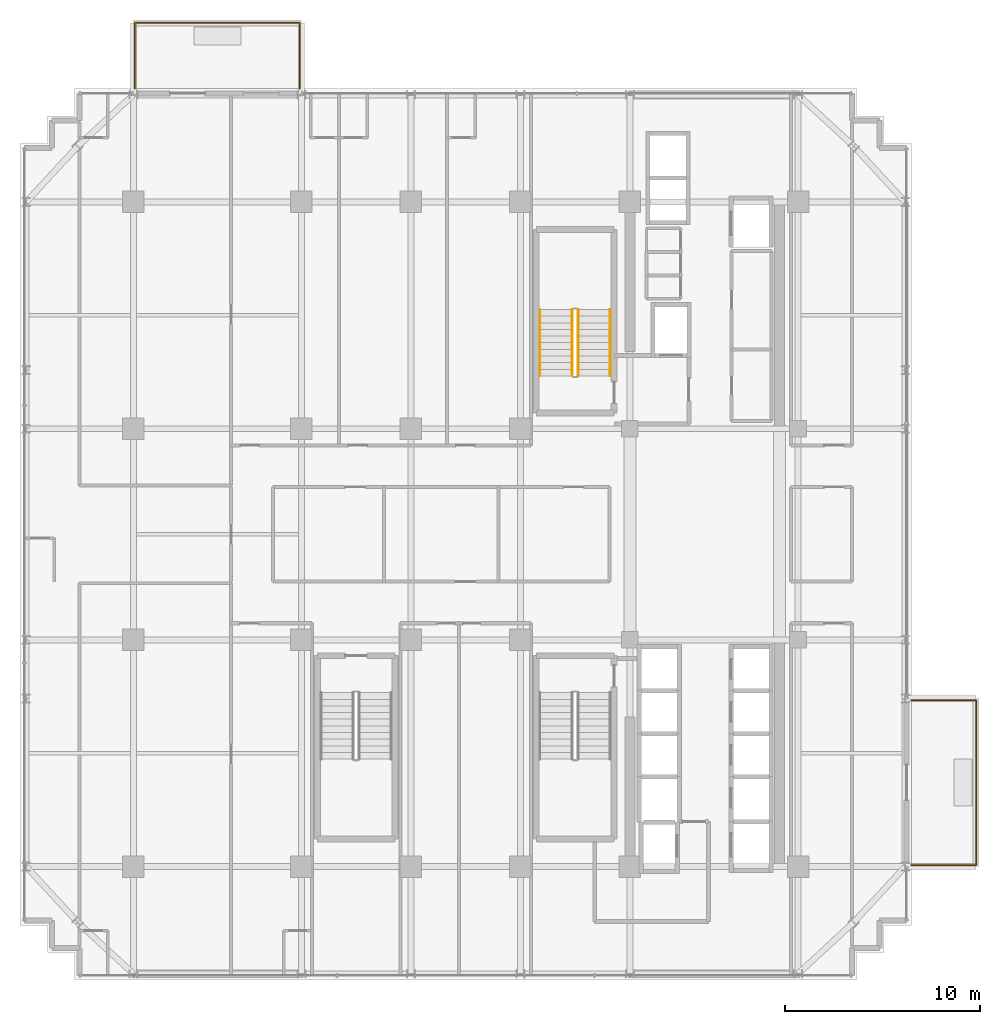
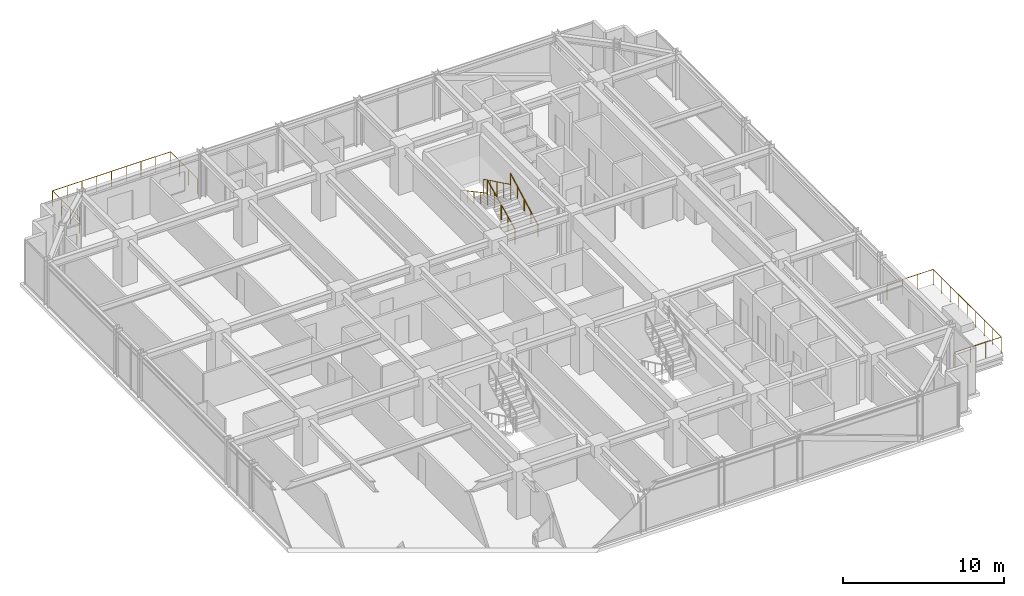
# One storey, part 27 of 29: 6 railings.
"""IFC4 building model written with IfcOpenShell, lengths in metres."""

from ifc_helpers import new_model, si_unit, direction, frame, origin, origin_2d, place, context, subcontext, project, spatial, circle, extrude, material, type_object, element, save


model = new_model("IFC4")

# Units and contexts
model_context = context("Model", 3, precision=1e-05, world=origin(), true_north=direction((0.0, 1.0)))
body_context = subcontext(model_context, "Body", "Model", "MODEL_VIEW")
ifc_project = project(units=[si_unit("LENGTHUNIT", "METRE"), si_unit("AREAUNIT", "SQUARE_METRE"), si_unit("VOLUMEUNIT", "CUBIC_METRE"), si_unit("PLANEANGLEUNIT", "RADIAN"), si_unit("MASSUNIT", "GRAM", prefix="KILO")], contexts=[model_context])

# Site, building, storey
site_placement = place(None, origin())
site = spatial("IfcSite", under=ifc_project, at=site_placement, CompositionType="ELEMENT")
building_placement = place(site_placement, origin())
building = spatial("IfcBuilding", under=site, at=building_placement, Name="Nahalor Promenade Grand Hotel", CompositionType="ELEMENT")
storey_placement = place(building_placement, frame((0.0, 0.0, 189.14990234375)))
storey = spatial("IfcBuildingStorey", under=building, at=storey_placement, Name="L48", CompositionType="ELEMENT", Elevation=189.14990234375)

# Railings
ifc_material_1 = material(Name="Anodised Bronze Aluminium EN AW-6063 T6", Category="aluminium")
railing_type_1 = type_object("IfcRailingType", Name="Bronze Balcony Guardrail 1200 mm", PredefinedType="GUARDRAIL", material=ifc_material_1)
railing_1_placement = place(storey_placement, frame((-16.919921875, 22.800048828125, 0.0)))
element("IfcRailing", 1, at=railing_1_placement, inside=storey, type_object=railing_type_1, Name="L48 Balcony Guardrail 1", PredefinedType="GUARDRAIL", context=body_context, shape_type="SweptSolid", body=[
    extrude(circle(Radius=0.024048, at=origin_2d()), frame((0.0, 0.0, 1.17578125), z_axis=(0.0, 1.0, 0.0), x_axis=(-1.0, 0.0, 0.0)), (0.0, 0.0, 1.0), 3.35791015625),
    extrude(circle(Radius=0.024048, at=origin_2d()), frame((0.001953125, 3.35986328125, 1.17578125), z_axis=(1.0, 0.0, 0.0), x_axis=(0.0, 1.0, 0.0)), (0.0, 0.0, 1.0), 8.43603515625),
    extrude(circle(Radius=0.024048, at=origin_2d()), frame((8.43994140625, 3.35791015625, 1.17578125), z_axis=(0.0, -1.0, 0.0), x_axis=(1.0, 0.0, 0.0)), (0.0, 0.0, 1.0), 3.35791015625),
    extrude(circle(Radius=0.020996, at=origin_2d()), origin(), (0.0, 0.0, 1.0), 1.14990234375),
    extrude(circle(Radius=0.020996, at=origin_2d()), frame((0.0, 1.119873046875, 0.0)), (0.0, 0.0, 1.0), 1.14990234375),
    extrude(circle(Radius=0.020996, at=origin_2d()), frame((0.0, 2.239990234375, 0.0)), (0.0, 0.0, 1.0), 1.14990234375),
    extrude(circle(Radius=0.020996, at=origin_2d()), frame((0.0, 3.35986328125, 0.0)), (0.0, 0.0, 1.0), 1.14990234375),
    extrude(circle(Radius=0.020996, at=origin_2d()), frame((1.054931640625, 3.35986328125, 0.0)), (0.0, 0.0, 1.0), 1.14990234375),
    extrude(circle(Radius=0.020996, at=origin_2d()), frame((2.10986328125, 3.35986328125, 0.0)), (0.0, 0.0, 1.0), 1.14990234375),
    extrude(circle(Radius=0.020996, at=origin_2d()), frame((3.1650390625, 3.35986328125, 0.0)), (0.0, 0.0, 1.0), 1.14990234375),
    extrude(circle(Radius=0.020996, at=origin_2d()), frame((4.219970703125, 3.35986328125, 0.0)), (0.0, 0.0, 1.0), 1.14990234375),
    extrude(circle(Radius=0.020996, at=origin_2d()), frame((5.27490234375, 3.35986328125, 0.0)), (0.0, 0.0, 1.0), 1.14990234375),
    extrude(circle(Radius=0.020996, at=origin_2d()), frame((6.330078125, 3.35986328125, 0.0)), (0.0, 0.0, 1.0), 1.14990234375),
    extrude(circle(Radius=0.020996, at=origin_2d()), frame((7.385009765625, 3.35986328125, 0.0)), (0.0, 0.0, 1.0), 1.14990234375),
    extrude(circle(Radius=0.020996, at=origin_2d()), frame((8.43994140625, 3.35986328125, 0.0)), (0.0, 0.0, 1.0), 1.14990234375),
    extrude(circle(Radius=0.020996, at=origin_2d()), frame((8.43994140625, 2.239990234375, 0.0)), (0.0, 0.0, 1.0), 1.14990234375),
    extrude(circle(Radius=0.020996, at=origin_2d()), frame((8.43994140625, 1.119873046875, 0.0)), (0.0, 0.0, 1.0), 1.14990234375),
    extrude(circle(Radius=0.020996, at=origin_2d()), frame((8.43994140625, 0.0, 0.0)), (0.0, 0.0, 1.0), 1.14990234375),
])
railing_2_placement = place(storey_placement, frame((22.800048828125, -16.919921875, 0.0)))
element("IfcRailing", 2, at=railing_2_placement, inside=storey, type_object=railing_type_1, Name="L48 Balcony Guardrail 2", PredefinedType="GUARDRAIL", context=body_context, shape_type="SweptSolid", body=[
    extrude(circle(Radius=0.024048, at=origin_2d()), frame((0.0, 0.0, 1.17578125), z_axis=(1.0, 0.0, 0.0), x_axis=(0.0, 1.0, 0.0)), (0.0, 0.0, 1.0), 3.30810546875),
    extrude(circle(Radius=0.024048, at=origin_2d()), frame((3.31005859375, 0.001953125, 1.17578125), z_axis=(0.0, 1.0, 0.0), x_axis=(-1.0, 0.0, 0.0)), (0.0, 0.0, 1.0), 8.43603515625),
    extrude(circle(Radius=0.024048, at=origin_2d()), frame((3.30810546875, 8.43994140625, 1.17578125), z_axis=(-1.0, 0.0, 0.0), x_axis=(0.0, -1.0, 0.0)), (0.0, 0.0, 1.0), 3.30810546875),
    extrude(circle(Radius=0.020996, at=origin_2d()), origin(), (0.0, 0.0, 1.0), 1.14990234375),
    extrude(circle(Radius=0.020996, at=origin_2d()), frame((1.103271484375, 0.0, 0.0)), (0.0, 0.0, 1.0), 1.14990234375),
    extrude(circle(Radius=0.020996, at=origin_2d()), frame((2.206787109375, 0.0, 0.0)), (0.0, 0.0, 1.0), 1.14990234375),
    extrude(circle(Radius=0.020996, at=origin_2d()), frame((3.31005859375, 0.0, 0.0)), (0.0, 0.0, 1.0), 1.14990234375),
    extrude(circle(Radius=0.020996, at=origin_2d()), frame((3.31005859375, 1.054931640625, 0.0)), (0.0, 0.0, 1.0), 1.14990234375),
    extrude(circle(Radius=0.020996, at=origin_2d()), frame((3.31005859375, 2.10986328125, 0.0)), (0.0, 0.0, 1.0), 1.14990234375),
    extrude(circle(Radius=0.020996, at=origin_2d()), frame((3.31005859375, 3.1650390625, 0.0)), (0.0, 0.0, 1.0), 1.14990234375),
    extrude(circle(Radius=0.020996, at=origin_2d()), frame((3.31005859375, 4.219970703125, 0.0)), (0.0, 0.0, 1.0), 1.14990234375),
    extrude(circle(Radius=0.020996, at=origin_2d()), frame((3.31005859375, 5.27490234375, 0.0)), (0.0, 0.0, 1.0), 1.14990234375),
    extrude(circle(Radius=0.020996, at=origin_2d()), frame((3.31005859375, 6.330078125, 0.0)), (0.0, 0.0, 1.0), 1.14990234375),
    extrude(circle(Radius=0.020996, at=origin_2d()), frame((3.31005859375, 7.385009765625, 0.0)), (0.0, 0.0, 1.0), 1.14990234375),
    extrude(circle(Radius=0.020996, at=origin_2d()), frame((3.31005859375, 8.43994140625, 0.0)), (0.0, 0.0, 1.0), 1.14990234375),
    extrude(circle(Radius=0.020996, at=origin_2d()), frame((2.206787109375, 8.43994140625, 0.0)), (0.0, 0.0, 1.0), 1.14990234375),
    extrude(circle(Radius=0.020996, at=origin_2d()), frame((1.103271484375, 8.43994140625, 0.0)), (0.0, 0.0, 1.0), 1.14990234375),
    extrude(circle(Radius=0.020996, at=origin_2d()), frame((0.0, 8.43994140625, 0.0)), (0.0, 0.0, 1.0), 1.14990234375),
])
ifc_material_2 = material(Name="Steel S355JR", Category="steel")
railing_type_2 = type_object("IfcRailingType", Name="Steel Stair Guardrail 1150 mm", PredefinedType="GUARDRAIL", material=ifc_material_2)
railing_3_placement = place(storey_placement, frame((5.75, 8.10009765625, 0.166015625)))
element("IfcRailing", 3, at=railing_3_placement, inside=storey, type_object=railing_type_2, Name="L48 ST1 stair guard 1", PredefinedType="GUARDRAIL", context=body_context, shape_type="SweptSolid", body=[
    extrude(circle(Radius=0.024048, at=origin_2d()), frame((0.0, 0.0, 1.1259765625), z_axis=(0.0, 0.898696488221, 0.438571114028), x_axis=(-1.0, 0.0, 0.0)), (0.0, 0.0, 1.0), 3.783203125),
    extrude(circle(Radius=0.020996, at=origin_2d()), origin(), (0.0, 0.0, 1.0), 1.099853515625),
    extrude(circle(Radius=0.020996, at=origin_2d()), frame((0.0, 0.85009765625, 0.414794921875)), (0.0, 0.0, 1.0), 1.099853515625),
    extrude(circle(Radius=0.020996, at=origin_2d()), frame((0.0, 1.699951171875, 0.82958984375)), (0.0, 0.0, 1.0), 1.099853515625),
    extrude(circle(Radius=0.020996, at=origin_2d()), frame((0.0, 2.5498046875, 1.244384765625)), (0.0, 0.0, 1.0), 1.099853515625),
    extrude(circle(Radius=0.020996, at=origin_2d()), frame((0.0, 3.39990234375, 1.6591796875)), (0.0, 0.0, 1.0), 1.099853515625),
])
railing_4_placement = place(storey_placement, frame((5.449951171875, 11.5, 1.990966796875)))
element("IfcRailing", 4, at=railing_4_placement, inside=storey, type_object=railing_type_2, Name="L48 ST1 stair guard 3", PredefinedType="GUARDRAIL", context=body_context, shape_type="SweptSolid", body=[
    extrude(circle(Radius=0.024048, at=origin_2d()), frame((0.0, 0.0, 1.1259765625), z_axis=(0.0, -0.898696488221, 0.438571114028), x_axis=(1.0, 0.0, 0.0)), (0.0, 0.0, 1.0), 3.783203125),
    extrude(circle(Radius=0.020996, at=origin_2d()), origin(), (0.0, 0.0, 1.0), 1.099853515625),
    extrude(circle(Radius=0.020996, at=origin_2d()), frame((0.0, -0.85009765625, 0.414794921875)), (0.0, 0.0, 1.0), 1.099853515625),
    extrude(circle(Radius=0.020996, at=origin_2d()), frame((0.0, -1.699951171875, 0.82958984375)), (0.0, 0.0, 1.0), 1.099853515625),
    extrude(circle(Radius=0.020996, at=origin_2d()), frame((0.0, -2.5498046875, 1.244384765625)), (0.0, 0.0, 1.0), 1.099853515625),
    extrude(circle(Radius=0.020996, at=origin_2d()), frame((0.0, -3.39990234375, 1.6591796875)), (0.0, 0.0, 1.0), 1.099853515625),
])
railing_type_3 = type_object("IfcRailingType", Name="Steel Stair Handrail 900 mm", PredefinedType="HANDRAIL", material=ifc_material_2)
railing_5_placement = place(storey_placement, frame((7.39990234375, 8.10009765625, 0.166015625)))
element("IfcRailing", 5, at=railing_5_placement, inside=storey, type_object=railing_type_3, Name="L48 ST1 stair handrail 1", PredefinedType="HANDRAIL", context=body_context, shape_type="SweptSolid", body=[
    extrude(circle(Radius=0.024048, at=origin_2d()), frame((0.0, 0.0, 0.8759765625), z_axis=(0.0, 0.881094038095, 0.47294111265), x_axis=(-1.0, 0.0, 0.0)), (0.0, 0.0, 1.0), 3.858642578125),
    extrude(circle(Radius=0.020996, at=origin_2d()), origin(), (0.0, 0.0, 1.0), 0.849853515625),
    extrude(circle(Radius=0.020996, at=origin_2d()), frame((0.0, 0.85009765625, 0.456298828125)), (0.0, 0.0, 1.0), 0.849853515625),
    extrude(circle(Radius=0.020996, at=origin_2d()), frame((0.0, 1.699951171875, 0.91259765625)), (0.0, 0.0, 1.0), 0.849853515625),
    extrude(circle(Radius=0.020996, at=origin_2d()), frame((0.0, 2.5498046875, 1.36865234375)), (0.0, 0.0, 1.0), 0.849853515625),
    extrude(circle(Radius=0.020996, at=origin_2d()), frame((0.0, 3.39990234375, 1.824951171875)), (0.0, 0.0, 1.0), 0.849853515625),
])
railing_6_placement = place(storey_placement, frame((3.800048828125, 11.5, 1.990966796875)))
element("IfcRailing", 6, at=railing_6_placement, inside=storey, type_object=railing_type_3, Name="L48 ST1 stair handrail 2", PredefinedType="HANDRAIL", context=body_context, shape_type="SweptSolid", body=[
    extrude(circle(Radius=0.024048, at=origin_2d()), frame((0.0, 0.0, 0.8759765625), z_axis=(0.0, -0.881094038095, 0.47294111265), x_axis=(1.0, 0.0, 0.0)), (0.0, 0.0, 1.0), 3.858642578125),
    extrude(circle(Radius=0.020996, at=origin_2d()), origin(), (0.0, 0.0, 1.0), 0.849853515625),
    extrude(circle(Radius=0.020996, at=origin_2d()), frame((0.0, -0.85009765625, 0.456298828125)), (0.0, 0.0, 1.0), 0.849853515625),
    extrude(circle(Radius=0.020996, at=origin_2d()), frame((0.0, -1.699951171875, 0.91259765625)), (0.0, 0.0, 1.0), 0.849853515625),
    extrude(circle(Radius=0.020996, at=origin_2d()), frame((0.0, -2.5498046875, 1.36865234375)), (0.0, 0.0, 1.0), 0.849853515625),
    extrude(circle(Radius=0.020996, at=origin_2d()), frame((0.0, -3.39990234375, 1.824951171875)), (0.0, 0.0, 1.0), 0.849853515625),
])

save(model, "model.ifc")
